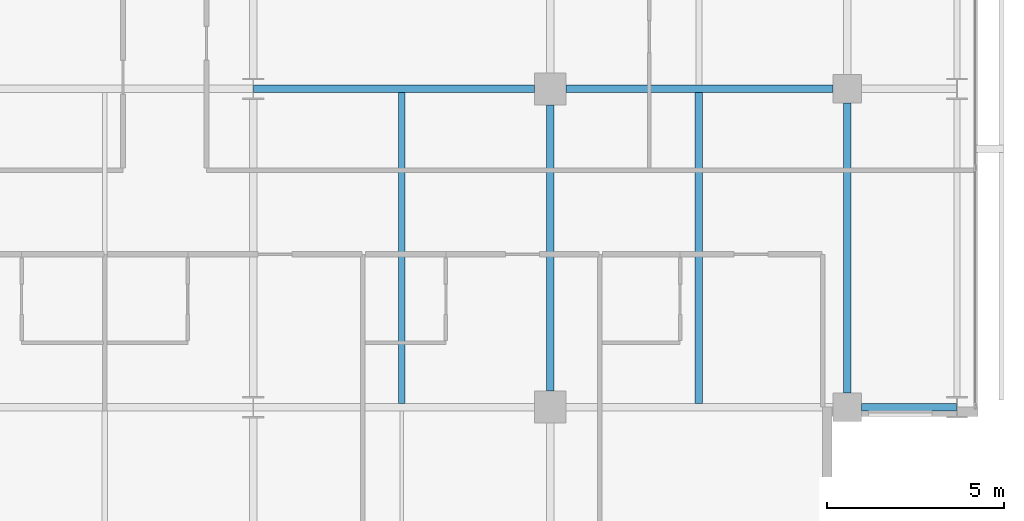
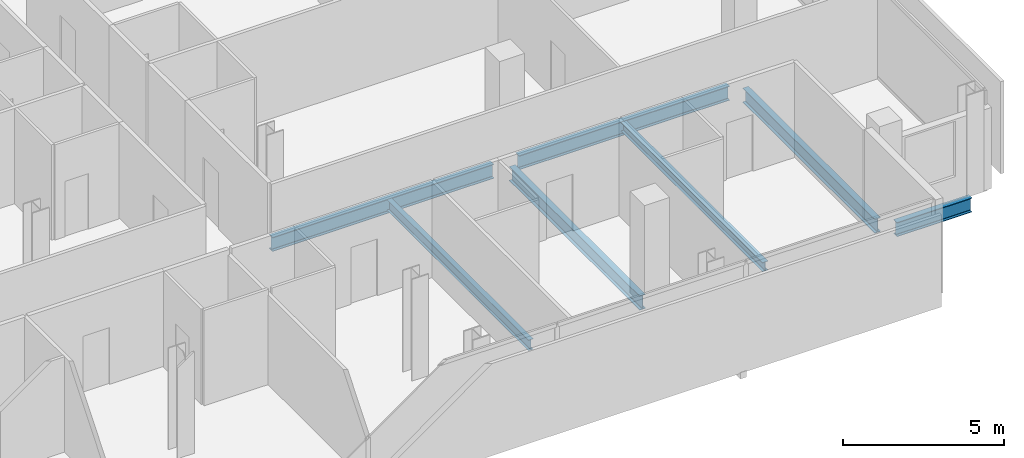
# One storey, part 14 of 33: 7 beams.
"""IFC4 building model written with IfcOpenShell, lengths in metres."""

from ifc_helpers import new_model, si_unit, direction, frame, origin, origin_2d, place, context, subcontext, project, spatial, i_section, extrude, material, material_profile, profile_set, type_object, element, save


model = new_model("IFC4")

# Units and contexts
model_context = context("Model", 3, precision=1e-05, world=origin(), true_north=direction((0.0, 1.0)))
body_context = subcontext(model_context, "Body", "Model", "MODEL_VIEW")
ifc_project = project(units=[si_unit("LENGTHUNIT", "METRE"), si_unit("AREAUNIT", "SQUARE_METRE"), si_unit("VOLUMEUNIT", "CUBIC_METRE"), si_unit("PLANEANGLEUNIT", "RADIAN"), si_unit("MASSUNIT", "GRAM", prefix="KILO")], contexts=[model_context])

# Site, building, storey
site_placement = place(None, origin())
site = spatial("IfcSite", under=ifc_project, at=site_placement, CompositionType="ELEMENT")
building_placement = place(site_placement, origin())
building = spatial("IfcBuilding", under=site, at=building_placement, Name="Maruvema Waterfront Hotel and Observation Tower", CompositionType="ELEMENT")
storey_placement = place(building_placement, frame((0.0, 0.0, 204.39990234375)))
storey = spatial("IfcBuildingStorey", under=building, at=storey_placement, Name="L50", CompositionType="ELEMENT", Elevation=204.39990234375)

# Beams
ifc_material_1 = material(Name="Steel ASTM A572 Grade 50", Category="steel")
ifc_material_profile_1 = material_profile(ifc_material_1, i_section(OverallWidth=0.2109375, OverallDepth=0.5390625, WebThickness=0.01171875, FlangeThickness=0.018798828125, FilletRadius=0.014892578125, at=origin_2d()), Name="W530x109.0")
ifc_profile_set_1 = profile_set([ifc_material_profile_1], Name="Steel ASTM A572 Grade 50")
beam_type_1 = type_object("IfcBeamType", Name="Primary Floor Girder W530x109.0", PredefinedType="BEAM", material=ifc_profile_set_1)
beam_1_placement = place(storey_placement, frame((59.199951171875, 9.0, -0.509521484375), z_axis=(1.0, 0.0, 0.0), x_axis=(0.0, 1.0, 0.0)))
element("IfcBeam", 1, at=beam_1_placement, inside=storey, type_object=beam_type_1, Name="L50 Floor Girder EW-10", PredefinedType="BEAM", context=body_context, shape_type="SweptSolid", body=[
    extrude(i_section(OverallWidth=0.2109375, OverallDepth=0.5390625, WebThickness=0.01171875, FlangeThickness=0.018798828125, FilletRadius=0.014892578125, at=origin_2d()), origin(), (0.0, 0.0, 1.0), 2.6875),
])
beam_2_placement = place(storey_placement, frame((42.012451171875, 18.0, -0.509521484375), z_axis=(1.0, 0.0, 0.0), x_axis=(0.0, 1.0, 0.0)))
element("IfcBeam", 2, at=beam_2_placement, inside=storey, type_object=beam_type_1, Name="L50 Floor Girder EW-15", PredefinedType="BEAM", context=body_context, shape_type="SweptSolid", body=[
    extrude(i_section(OverallWidth=0.2109375, OverallDepth=0.5390625, WebThickness=0.01171875, FlangeThickness=0.018798828125, FilletRadius=0.014892578125, at=origin_2d()), origin(), (0.0, 0.0, 1.0), 7.9375),
])
beam_3_placement = place(storey_placement, frame((50.85009765625, 18.0, -0.509521484375), z_axis=(1.0, 0.0, 0.0), x_axis=(0.0, 1.0, 0.0)))
element("IfcBeam", 3, at=beam_3_placement, inside=storey, type_object=beam_type_1, Name="L50 Floor Girder EW-16", PredefinedType="BEAM", context=body_context, shape_type="SweptSolid", body=[
    extrude(i_section(OverallWidth=0.2109375, OverallDepth=0.5390625, WebThickness=0.01171875, FlangeThickness=0.018798828125, FilletRadius=0.014892578125, at=origin_2d()), origin(), (0.0, 0.0, 1.0), 7.5498046875),
])
beam_4_placement = place(storey_placement, frame((50.39990234375, 9.449951171875, -0.509521484375), z_axis=(0.0, 1.0, 0.0), x_axis=(-1.0, 0.0, 0.0)))
element("IfcBeam", 4, at=beam_4_placement, inside=storey, type_object=beam_type_1, Name="L50 Floor Girder NS-21", PredefinedType="BEAM", context=body_context, shape_type="SweptSolid", body=[
    extrude(i_section(OverallWidth=0.2109375, OverallDepth=0.5390625, WebThickness=0.01171875, FlangeThickness=0.018798828125, FilletRadius=0.014892578125, at=origin_2d()), origin(), (0.0, 0.0, 1.0), 8.10009765625),
])
beam_5_placement = place(storey_placement, frame((58.800048828125, 9.39990234375, -0.509521484375), z_axis=(0.0, 1.0, 0.0), x_axis=(-1.0, 0.0, 0.0)))
element("IfcBeam", 5, at=beam_5_placement, inside=storey, type_object=beam_type_1, Name="L50 Floor Girder NS-25", PredefinedType="BEAM", context=body_context, shape_type="SweptSolid", body=[
    extrude(i_section(OverallWidth=0.2109375, OverallDepth=0.5390625, WebThickness=0.01171875, FlangeThickness=0.018798828125, FilletRadius=0.014892578125, at=origin_2d()), origin(), (0.0, 0.0, 1.0), 8.2001953125),
])
ifc_material_2 = material(Name="Steel ASTM A572 Grade 50", Category="steel")
ifc_material_profile_2 = material_profile(ifc_material_2, i_section(OverallWidth=0.202880859375, OverallDepth=0.346923828125, WebThickness=0.0078125, FlangeThickness=0.013427734375, FilletRadius=0.014892578125, at=origin_2d()), Name="W360x64.0")
ifc_profile_set_2 = profile_set([ifc_material_profile_2], Name="Steel ASTM A572 Grade 50")
beam_type_2 = type_object("IfcBeamType", Name="Secondary Floor Joist W360x64.0", PredefinedType="JOIST", material=ifc_profile_set_2)
beam_6_placement = place(storey_placement, frame((54.60009765625, 9.10546875, -0.413330078125), z_axis=(0.0, 1.0, 0.0), x_axis=(-1.0, 0.0, 0.0)))
element("IfcBeam", 6, at=beam_6_placement, inside=storey, type_object=beam_type_2, Name="L50 Secondary Floor Joist JS-11", PredefinedType="JOIST", context=body_context, shape_type="SweptSolid", body=[
    extrude(i_section(OverallWidth=0.202880859375, OverallDepth=0.346923828125, WebThickness=0.0078125, FlangeThickness=0.013427734375, FilletRadius=0.014892578125, at=origin_2d()), origin(), (0.0, 0.0, 1.0), 8.7890625),
])
ifc_material_3 = material(Name="Steel ASTM A572 Grade 50", Category="steel")
ifc_material_profile_3 = material_profile(ifc_material_3, i_section(OverallWidth=0.177001953125, OverallDepth=0.403076171875, WebThickness=0.007568359375, FlangeThickness=0.010986328125, FilletRadius=0.014892578125, at=origin_2d()), Name="W410x53.0")
ifc_profile_set_3 = profile_set([ifc_material_profile_3], Name="Steel ASTM A572 Grade 50")
beam_type_3 = type_object("IfcBeamType", Name="Secondary Floor Joist W410x53.0", PredefinedType="JOIST", material=ifc_profile_set_3)
beam_7_placement = place(storey_placement, frame((46.199951171875, 9.10546875, -0.44140625), z_axis=(0.0, 1.0, 0.0), x_axis=(-1.0, 0.0, 0.0)))
element("IfcBeam", 7, at=beam_7_placement, inside=storey, type_object=beam_type_3, Name="L50 Secondary Floor Joist JS-10", PredefinedType="JOIST", context=body_context, shape_type="SweptSolid", body=[
    extrude(i_section(OverallWidth=0.177001953125, OverallDepth=0.403076171875, WebThickness=0.007568359375, FlangeThickness=0.010986328125, FilletRadius=0.014892578125, at=origin_2d()), origin(), (0.0, 0.0, 1.0), 8.7890625),
])

save(model, "model.ifc")
